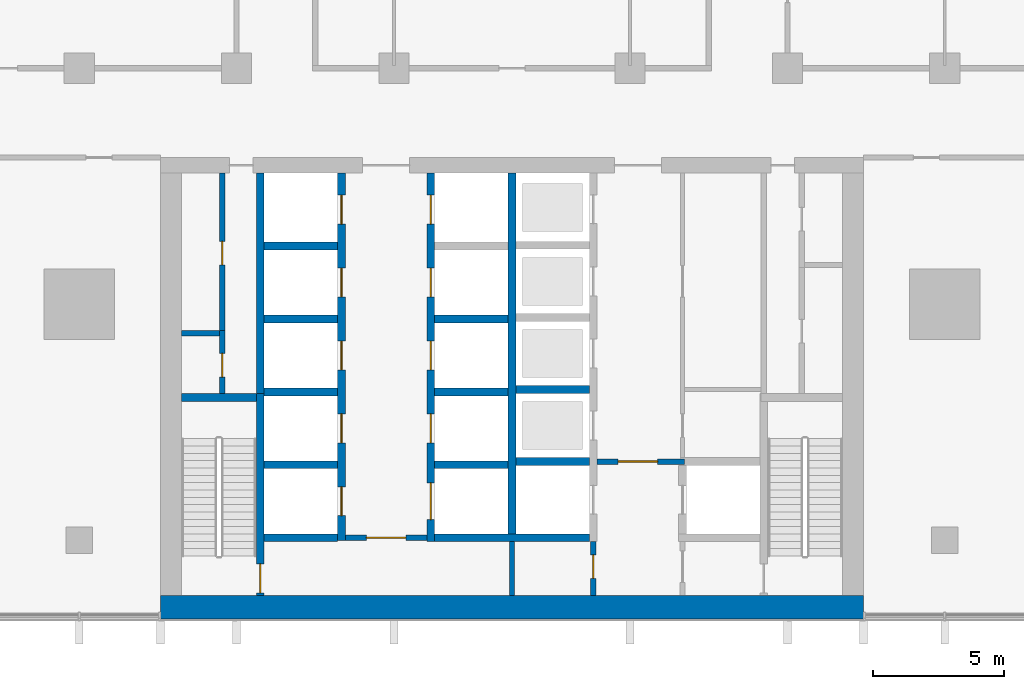
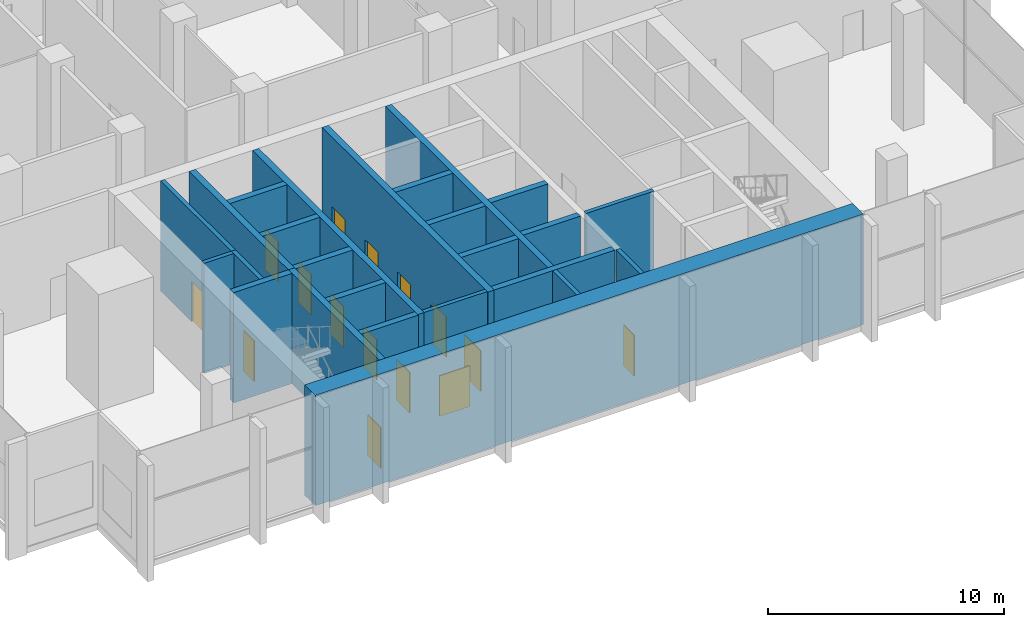
# One storey, part 7 of 16: 25 walls, 16 doors, 16 openings.
"""IFC4 building model written with IfcOpenShell, lengths in metres."""

from ifc_helpers import new_model, si_unit, direction, frame, frame_2d, origin, place, context, subcontext, project, spatial, rectangle, extrude, material, layer, layer_set, type_object, element, fill, save


model = new_model("IFC4")

# Units and contexts
model_context = context("Model", 3, precision=1e-05, world=origin(), true_north=direction((0.0, 1.0)))
body_context = subcontext(model_context, "Body", "Model", "MODEL_VIEW")
ifc_project = project(units=[si_unit("LENGTHUNIT", "METRE"), si_unit("AREAUNIT", "SQUARE_METRE"), si_unit("VOLUMEUNIT", "CUBIC_METRE"), si_unit("PLANEANGLEUNIT", "RADIAN"), si_unit("MASSUNIT", "GRAM", prefix="KILO")], contexts=[model_context])

# Site, building, storey
site_placement = place(None, origin())
site = spatial("IfcSite", under=ifc_project, at=site_placement, CompositionType="ELEMENT")
building_placement = place(site_placement, origin())
building = spatial("IfcBuilding", under=site, at=building_placement, Name="Finial Court Residences", CompositionType="ELEMENT")
storey_placement = place(building_placement, frame((0.0, 0.0, 127.89990234375)))
storey = spatial("IfcBuildingStorey", under=building, at=storey_placement, Name="L32", CompositionType="ELEMENT", Elevation=127.89990234375)

# Wall
ifc_material_1 = material(Name="Concrete C70/85", Category="concrete")
ifc_layer_1 = layer(ifc_material_1, 0.89990234375)
ifc_layer_set_1 = layer_set([ifc_layer_1], Name="Core south facade wall 900 Concrete C70/85")
wall_type_1 = type_object("IfcWallType", Name="Core south facade wall 900 Concrete C70/85", PredefinedType="SHEAR", material=ifc_layer_set_1)
wall_1_placement = place(storey_placement, frame((-13.39990234375, -25.050048828125, 0.0), z_axis=(0.0, 0.0, 1.0), x_axis=(1.0, 0.0, 0.0)))
element("IfcWall", 1, at=wall_1_placement, inside=storey, type_object=wall_type_1, Name="Core outer wall L32-01", PredefinedType="SHEAR", context=body_context, shape_type="SweptSolid", body=[
    extrude(rectangle(XDim=26.7998046875, YDim=0.89990234375, at=frame_2d((13.39990234375, 0.0))), origin(), (0.0, 0.0, 1.0), 5.7001953125),
])

# Wall, opening, door
ifc_material_2 = material(Name="Fire-rated gypsum board partition")
ifc_layer_2 = layer(ifc_material_2, 0.199951171875)
ifc_layer_set_2 = layer_set([ifc_layer_2], Name="Firefighting lobby wall 200 EI 120")
wall_type_2 = type_object("IfcWallType", Name="Firefighting lobby wall 200 EI 120", PredefinedType="PARTITIONING", material=ifc_layer_set_2)
wall_2_placement = place(storey_placement, frame((6.574951171875, -19.5, 0.0), z_axis=(0.0, 0.0, 1.0), x_axis=(-1.0, 0.0, 0.0)))
wall_2 = element("IfcWall", 2, at=wall_2_placement, inside=storey, type_object=wall_type_2, Name="Core partition L32-08", PredefinedType="PARTITIONING", context=body_context, shape_type="SweptSolid", body=[
    extrude(rectangle(XDim=3.324951171875, YDim=0.199951171875, at=frame_2d((1.66259765625, 0.0))), origin(), (0.0, 0.0, 1.0), 5.7001953125),
])
opening_1_placement = place(wall_2_placement, frame((1.02490234375, 0.0, 0.0)))
opening_1 = element("IfcOpeningElement", 3, at=opening_1_placement, cuts=wall_2, Name="Opening L32-C02", PredefinedType="OPENING", context=body_context, shape_type="SweptSolid", body=[
    extrude(rectangle(XDim=1.5, YDim=2.10009765625, at=frame_2d((0.75, 1.050048828125))), frame((0.0, 0.10986328125, 0.0), z_axis=(0.0, -1.0, 0.0), x_axis=(1.0, 0.0, 0.0)), (0.0, 0.0, 1.0), 0.219970703125),
])
ifc_material_3 = material(Name="Steel fire door", Category="steel")
door_type_1 = type_object("IfcDoorType", Name="Firefighting lobby door 1500 x 2100 EI 90", OperationType="DOUBLE_DOOR_SINGLE_SWING", PredefinedType="DOOR", material=ifc_material_3)
door_1_placement = place(opening_1_placement, origin())
door_1 = element("IfcDoor", 4, at=door_1_placement, inside=storey, type_object=door_type_1, Name="Firefighting lobby door L32-C02", OperationType="DOUBLE_DOOR_SINGLE_SWING", OverallHeight=2.10009765625, OverallWidth=1.5, PredefinedType="DOOR", context=body_context, shape_type="SweptSolid", body=[
    extrude(rectangle(XDim=1.5, YDim=2.10009765625, at=frame_2d((0.75, 1.050048828125))), frame((0.0, 0.02490234375, 0.0), z_axis=(0.0, -1.0, 0.0), x_axis=(1.0, 0.0, 0.0)), (0.0, 0.0, 1.0), 0.050048828125),
])
fill(opening_1, door_1)

wall_3_placement = place(storey_placement, frame((3.10009765625, -24.60009765625, 0.0), z_axis=(0.0, 0.0, 1.0), x_axis=(0.0, 1.0, 0.0)))
wall_3 = element("IfcWall", 5, at=wall_3_placement, inside=storey, type_object=wall_type_2, Name="Core partition L32-32", PredefinedType="PARTITIONING", context=body_context, shape_type="SweptSolid", body=[
    extrude(rectangle(XDim=2.050048828125, YDim=0.199951171875, at=frame_2d((1.02490234375, 0.0))), origin(), (0.0, 0.0, 1.0), 5.7001953125),
])
opening_2_placement = place(wall_3_placement, frame((0.64990234375, 0.0, 0.0)))
opening_2 = element("IfcOpeningElement", 6, at=opening_2_placement, cuts=wall_3, Name="Opening L32-C06", PredefinedType="OPENING", context=body_context, shape_type="SweptSolid", body=[
    extrude(rectangle(XDim=0.89990234375, YDim=2.10009765625, at=frame_2d((0.449951171875, 1.050048828125))), frame((0.0, 0.10986328125, 0.0), z_axis=(0.0, -1.0, 0.0), x_axis=(1.0, 0.0, 0.0)), (0.0, 0.0, 1.0), 0.219970703125),
])
door_type_2 = type_object("IfcDoorType", Name="Riser room door 900 x 2100 EI 90", OperationType="NOTDEFINED", PredefinedType="DOOR", material=ifc_material_3)
door_2_placement = place(opening_2_placement, origin())
door_2 = element("IfcDoor", 7, at=door_2_placement, inside=storey, type_object=door_type_2, Name="Riser room door L32-C06", OperationType="SINGLE_SWING_LEFT", OverallHeight=2.10009765625, OverallWidth=0.89990234375, PredefinedType="DOOR", context=body_context, shape_type="SweptSolid", body=[
    extrude(rectangle(XDim=0.89990234375, YDim=2.10009765625, at=frame_2d((0.449951171875, 1.050048828125))), frame((0.0, 0.02490234375, 0.0), z_axis=(0.0, -1.0, 0.0), x_axis=(1.0, 0.0, 0.0)), (0.0, 0.0, 1.0), 0.050048828125),
])
fill(opening_2, door_2)

# Walls
ifc_layer_3 = layer(ifc_material_1, 0.300048828125)
ifc_layer_set_3 = layer_set([ifc_layer_3], Name="Lift shaft and stair wall 300 Concrete C70/85")
wall_type_3 = type_object("IfcWallType", Name="Lift shaft and stair wall 300 Concrete C70/85", PredefinedType="SHEAR", material=ifc_layer_set_3)
wall_4_placement = place(storey_placement, frame((-9.449951171875, -22.39990234375, 0.0), z_axis=(0.0, 0.0, 1.0), x_axis=(1.0, 0.0, 0.0)))
element("IfcWall", 8, at=wall_4_placement, inside=storey, type_object=wall_type_3, Name="Core wall L32-01", PredefinedType="SHEAR", context=body_context, shape_type="SweptSolid", body=[
    extrude(rectangle(XDim=2.800048828125, YDim=0.300048828125, at=frame_2d((1.39990234375, 0.0))), origin(), (0.0, 0.0, 1.0), 5.7001953125),
])
wall_5_placement = place(storey_placement, frame((-2.949951171875, -22.39990234375, 0.0), z_axis=(0.0, 0.0, 1.0), x_axis=(1.0, 0.0, 0.0)))
element("IfcWall", 9, at=wall_5_placement, inside=storey, type_object=wall_type_3, Name="Core wall L32-03", PredefinedType="SHEAR", context=body_context, shape_type="SweptSolid", body=[
    extrude(rectangle(XDim=5.89990234375, YDim=0.300048828125, at=frame_2d((2.949951171875, 0.0))), origin(), (0.0, 0.0, 1.0), 5.7001953125),
])
for number, where, z_axis, x_axis, name in (
    (10, (-9.449951171875, -19.6201171875, 0.0), (0.0, 0.0, 1.0), (1.0, 0.0, 0.0), "Core wall L32-05"),
    (11, (-2.949951171875, -19.6201171875, 0.0), (0.0, 0.0, 1.0), (1.0, 0.0, 0.0), "Core wall L32-06"),
    (12, (0.14990234375, -19.5, 0.0), (0.0, 0.0, 1.0), (1.0, 0.0, 0.0), "Core wall L32-07"),
):
    element("IfcWall", number, at=place(storey_placement, frame(where, z_axis=z_axis, x_axis=x_axis)), inside=storey, type_object=wall_type_3, Name=name, PredefinedType="SHEAR", context=body_context, shape_type="SweptSolid", body=[
        extrude(rectangle(XDim=2.800048828125, YDim=0.300048828125, at=frame_2d((1.39990234375, 0.0))), origin(), (0.0, 0.0, 1.0), 5.7001953125),
    ])
wall_6_placement = place(storey_placement, frame((-12.60009765625, -17.050048828125, 0.0), z_axis=(0.0, 0.0, 1.0), x_axis=(1.0, 0.0, 0.0)))
element("IfcWall", 13, at=wall_6_placement, inside=storey, type_object=wall_type_3, Name="Core wall L32-10", PredefinedType="SHEAR", context=body_context, shape_type="SweptSolid", body=[
    extrude(rectangle(XDim=2.85009765625, YDim=0.300048828125, at=frame_2d((1.425048828125, 0.0))), origin(), (0.0, 0.0, 1.0), 5.7001953125),
])
for number, where, z_axis, x_axis, name in (
    (14, (-9.449951171875, -16.840087890625, 0.0), (0.0, 0.0, 1.0), (1.0, 0.0, 0.0), "Core wall L32-12"),
    (15, (-2.949951171875, -16.840087890625, 0.0), (0.0, 0.0, 1.0), (1.0, 0.0, 0.0), "Core wall L32-13"),
    (16, (0.14990234375, -16.75, 0.0), (0.0, 0.0, 1.0), (1.0, 0.0, 0.0), "Core wall L32-14"),
    (17, (-9.449951171875, -14.06005859375, 0.0), (0.0, 0.0, 1.0), (1.0, 0.0, 0.0), "Core wall L32-17"),
    (18, (-2.949951171875, -14.06005859375, 0.0), (0.0, 0.0, 1.0), (1.0, 0.0, 0.0), "Core wall L32-18"),
    (19, (-9.449951171875, -11.280029296875, 0.0), (0.0, 0.0, 1.0), (1.0, 0.0, 0.0), "Core wall L32-21"),
):
    element("IfcWall", number, at=place(storey_placement, frame(where, z_axis=z_axis, x_axis=x_axis)), inside=storey, type_object=wall_type_3, Name=name, PredefinedType="SHEAR", context=body_context, shape_type="SweptSolid", body=[
        extrude(rectangle(XDim=2.800048828125, YDim=0.300048828125, at=frame_2d((1.39990234375, 0.0))), origin(), (0.0, 0.0, 1.0), 5.7001953125),
    ])

# Wall, opening, door
wall_7_placement = place(storey_placement, frame((-9.60009765625, -24.60009765625, 0.0), z_axis=(0.0, 0.0, 1.0), x_axis=(0.0, 1.0, 0.0)))
wall_7 = element("IfcWall", 20, at=wall_7_placement, inside=storey, type_object=wall_type_3, Name="Core wall L32-26", PredefinedType="SHEAR", context=body_context, shape_type="SweptSolid", body=[
    extrude(rectangle(XDim=7.7001953125, YDim=0.300048828125, at=frame_2d((3.85009765625, 0.0))), origin(), (0.0, 0.0, 1.0), 5.7001953125),
])
opening_3_placement = place(wall_7_placement, frame((0.10009765625, 0.0, 0.0)))
opening_3 = element("IfcOpeningElement", 21, at=opening_3_placement, cuts=wall_7, Name="Opening L32-C15", PredefinedType="OPENING", context=body_context, shape_type="SweptSolid", body=[
    extrude(rectangle(XDim=1.10009765625, YDim=2.10009765625, at=frame_2d((0.550048828125, 1.050048828125))), frame((0.0, 0.159912109375, 0.0), z_axis=(0.0, -1.0, 0.0), x_axis=(1.0, 0.0, 0.0)), (0.0, 0.0, 1.0), 0.320068359375),
])
door_type_3 = type_object("IfcDoorType", Name="Stair door 1100 x 2100 EI 90", OperationType="NOTDEFINED", PredefinedType="DOOR", material=ifc_material_3)
door_3_placement = place(opening_3_placement, origin())
door_3 = element("IfcDoor", 22, at=door_3_placement, inside=storey, type_object=door_type_3, Name="Stair door L32-C15", OperationType="SINGLE_SWING_LEFT", OverallHeight=2.10009765625, OverallWidth=1.10009765625, PredefinedType="DOOR", context=body_context, shape_type="SweptSolid", body=[
    extrude(rectangle(XDim=1.10009765625, YDim=2.10009765625, at=frame_2d((0.550048828125, 1.050048828125))), frame((0.0, 0.02490234375, 0.0), z_axis=(0.0, -1.0, 0.0), x_axis=(1.0, 0.0, 0.0)), (0.0, 0.0, 1.0), 0.050048828125),
])
fill(opening_3, door_3)

# Wall
wall_8_placement = place(storey_placement, frame((-9.60009765625, -17.199951171875, 0.0), z_axis=(0.0, 0.0, 1.0), x_axis=(0.0, 1.0, 0.0)))
element("IfcWall", 23, at=wall_8_placement, inside=storey, type_object=wall_type_3, Name="Core wall L32-27", PredefinedType="SHEAR", context=body_context, shape_type="SweptSolid", body=[
    extrude(rectangle(XDim=8.699951171875, YDim=0.300048828125, at=frame_2d((4.35009765625, 0.0))), origin(), (0.0, 0.0, 1.0), 5.7001953125),
])

# Wall, openings, doors
wall_9_placement = place(storey_placement, frame((-6.5, -22.5, 0.0), z_axis=(0.0, 0.0, 1.0), x_axis=(0.0, 1.0, 0.0)))
wall_9 = element("IfcWall", 24, at=wall_9_placement, inside=storey, type_object=wall_type_3, Name="Core wall L32-28", PredefinedType="SHEAR", context=body_context, shape_type="SweptSolid", body=[
    extrude(rectangle(XDim=14.0, YDim=0.300048828125, at=frame_2d((7.0, 0.0))), origin(), (0.0, 0.0, 1.0), 5.7001953125),
])
opening_4_placement = place(wall_9_placement, frame((0.93994140625, 0.0, 0.0)))
opening_4 = element("IfcOpeningElement", 25, at=opening_4_placement, cuts=wall_9, Name="Opening L32-LD07", PredefinedType="OPENING", context=body_context, shape_type="SweptSolid", body=[
    extrude(rectangle(XDim=1.10009765625, YDim=2.10009765625, at=frame_2d((0.550048828125, 1.050048828125))), frame((0.0, 0.159912109375, 0.0), z_axis=(0.0, -1.0, 0.0), x_axis=(1.0, 0.0, 0.0)), (0.0, 0.0, 1.0), 0.320068359375),
])
opening_5_placement = place(wall_9_placement, frame((3.719970703125, 0.0, 0.0)))
opening_5 = element("IfcOpeningElement", 26, at=opening_5_placement, cuts=wall_9, Name="Opening L32-LD08", PredefinedType="OPENING", context=body_context, shape_type="SweptSolid", body=[
    extrude(rectangle(XDim=1.10009765625, YDim=2.10009765625, at=frame_2d((0.550048828125, 1.050048828125))), frame((0.0, 0.159912109375, 0.0), z_axis=(0.0, -1.0, 0.0), x_axis=(1.0, 0.0, 0.0)), (0.0, 0.0, 1.0), 0.320068359375),
])
opening_6_placement = place(wall_9_placement, frame((6.5, 0.0, 0.0)))
opening_6 = element("IfcOpeningElement", 27, at=opening_6_placement, cuts=wall_9, Name="Opening L32-LD09", PredefinedType="OPENING", context=body_context, shape_type="SweptSolid", body=[
    extrude(rectangle(XDim=1.10009765625, YDim=2.10009765625, at=frame_2d((0.550048828125, 1.050048828125))), frame((0.0, 0.159912109375, 0.0), z_axis=(0.0, -1.0, 0.0), x_axis=(1.0, 0.0, 0.0)), (0.0, 0.0, 1.0), 0.320068359375),
])
opening_7_placement = place(wall_9_placement, frame((9.280029296875, 0.0, 0.0)))
opening_7 = element("IfcOpeningElement", 28, at=opening_7_placement, cuts=wall_9, Name="Opening L32-LD10", PredefinedType="OPENING", context=body_context, shape_type="SweptSolid", body=[
    extrude(rectangle(XDim=1.10009765625, YDim=2.10009765625, at=frame_2d((0.550048828125, 1.050048828125))), frame((0.0, 0.159912109375, 0.0), z_axis=(0.0, -1.0, 0.0), x_axis=(1.0, 0.0, 0.0)), (0.0, 0.0, 1.0), 0.320068359375),
])
opening_8_placement = place(wall_9_placement, frame((12.06005859375, 0.0, 0.0)))
opening_8 = element("IfcOpeningElement", 29, at=opening_8_placement, cuts=wall_9, Name="Opening L32-LD11", PredefinedType="OPENING", context=body_context, shape_type="SweptSolid", body=[
    extrude(rectangle(XDim=1.10009765625, YDim=2.10009765625, at=frame_2d((0.550048828125, 1.050048828125))), frame((0.0, 0.159912109375, 0.0), z_axis=(0.0, -1.0, 0.0), x_axis=(1.0, 0.0, 0.0)), (0.0, 0.0, 1.0), 0.320068359375),
])
ifc_material_4 = material(Name="Stainless steel lift door", Category="steel")
door_type_4 = type_object("IfcDoorType", Name="Lift landing door 1100 x 2100 EI 90", OperationType="DOUBLE_DOOR_SLIDING", PredefinedType="DOOR", material=ifc_material_4)
door_4_placement = place(opening_4_placement, origin())
door_4 = element("IfcDoor", 30, at=door_4_placement, inside=storey, type_object=door_type_4, Name="Lift landing door LR1 L32", OperationType="DOUBLE_DOOR_SLIDING", OverallHeight=2.10009765625, OverallWidth=1.10009765625, PredefinedType="DOOR", context=body_context, shape_type="SweptSolid", body=[
    extrude(rectangle(XDim=1.10009765625, YDim=2.10009765625, at=frame_2d((0.550048828125, 1.050048828125))), frame((0.0, 0.02490234375, 0.0), z_axis=(0.0, -1.0, 0.0), x_axis=(1.0, 0.0, 0.0)), (0.0, 0.0, 1.0), 0.050048828125),
])
fill(opening_4, door_4)
door_5_placement = place(opening_5_placement, origin())
door_5 = element("IfcDoor", 31, at=door_5_placement, inside=storey, type_object=door_type_4, Name="Lift landing door LR2 L32", OperationType="DOUBLE_DOOR_SLIDING", OverallHeight=2.10009765625, OverallWidth=1.10009765625, PredefinedType="DOOR", context=body_context, shape_type="SweptSolid", body=[
    extrude(rectangle(XDim=1.10009765625, YDim=2.10009765625, at=frame_2d((0.550048828125, 1.050048828125))), frame((0.0, 0.02490234375, 0.0), z_axis=(0.0, -1.0, 0.0), x_axis=(1.0, 0.0, 0.0)), (0.0, 0.0, 1.0), 0.050048828125),
])
fill(opening_5, door_5)
door_6_placement = place(opening_6_placement, origin())
door_6 = element("IfcDoor", 32, at=door_6_placement, inside=storey, type_object=door_type_4, Name="Lift landing door LR3 L32", OperationType="DOUBLE_DOOR_SLIDING", OverallHeight=2.10009765625, OverallWidth=1.10009765625, PredefinedType="DOOR", context=body_context, shape_type="SweptSolid", body=[
    extrude(rectangle(XDim=1.10009765625, YDim=2.10009765625, at=frame_2d((0.550048828125, 1.050048828125))), frame((0.0, 0.02490234375, 0.0), z_axis=(0.0, -1.0, 0.0), x_axis=(1.0, 0.0, 0.0)), (0.0, 0.0, 1.0), 0.050048828125),
])
fill(opening_6, door_6)
door_7_placement = place(opening_7_placement, origin())
door_7 = element("IfcDoor", 33, at=door_7_placement, inside=storey, type_object=door_type_4, Name="Lift landing door LR4 L32", OperationType="DOUBLE_DOOR_SLIDING", OverallHeight=2.10009765625, OverallWidth=1.10009765625, PredefinedType="DOOR", context=body_context, shape_type="SweptSolid", body=[
    extrude(rectangle(XDim=1.10009765625, YDim=2.10009765625, at=frame_2d((0.550048828125, 1.050048828125))), frame((0.0, 0.02490234375, 0.0), z_axis=(0.0, -1.0, 0.0), x_axis=(1.0, 0.0, 0.0)), (0.0, 0.0, 1.0), 0.050048828125),
])
fill(opening_7, door_7)
door_8_placement = place(opening_8_placement, origin())
door_8 = element("IfcDoor", 34, at=door_8_placement, inside=storey, type_object=door_type_4, Name="Lift landing door LR5 L32", OperationType="DOUBLE_DOOR_SLIDING", OverallHeight=2.10009765625, OverallWidth=1.10009765625, PredefinedType="DOOR", context=body_context, shape_type="SweptSolid", body=[
    extrude(rectangle(XDim=1.10009765625, YDim=2.10009765625, at=frame_2d((0.550048828125, 1.050048828125))), frame((0.0, 0.02490234375, 0.0), z_axis=(0.0, -1.0, 0.0), x_axis=(1.0, 0.0, 0.0)), (0.0, 0.0, 1.0), 0.050048828125),
])
fill(opening_8, door_8)

wall_10_placement = place(storey_placement, frame((-3.10009765625, -22.550048828125, 0.0), z_axis=(0.0, 0.0, 1.0), x_axis=(0.0, 1.0, 0.0)))
wall_10 = element("IfcWall", 35, at=wall_10_placement, inside=storey, type_object=wall_type_3, Name="Core wall L32-29", PredefinedType="SHEAR", context=body_context, shape_type="SweptSolid", body=[
    extrude(rectangle(XDim=14.050048828125, YDim=0.300048828125, at=frame_2d((7.02490234375, 0.0))), origin(), (0.0, 0.0, 1.0), 5.7001953125),
])
opening_9_placement = place(wall_10_placement, frame((12.110107421875, 0.0, 0.0)))
opening_9 = element("IfcOpeningElement", 36, at=opening_9_placement, cuts=wall_10, Name="Opening L32-LD12", PredefinedType="OPENING", context=body_context, shape_type="SweptSolid", body=[
    extrude(rectangle(XDim=1.10009765625, YDim=2.10009765625, at=frame_2d((0.550048828125, 1.050048828125))), frame((0.0, 0.159912109375, 0.0), z_axis=(0.0, -1.0, 0.0), x_axis=(1.0, 0.0, 0.0)), (0.0, 0.0, 1.0), 0.320068359375),
])
opening_10_placement = place(wall_10_placement, frame((3.77001953125, 0.0, 0.0)))
opening_10 = element("IfcOpeningElement", 37, at=opening_10_placement, cuts=wall_10, Name="Opening L32-LD13", PredefinedType="OPENING", context=body_context, shape_type="SweptSolid", body=[
    extrude(rectangle(XDim=1.10009765625, YDim=2.10009765625, at=frame_2d((0.550048828125, 1.050048828125))), frame((0.0, 0.159912109375, 0.0), z_axis=(0.0, -1.0, 0.0), x_axis=(1.0, 0.0, 0.0)), (0.0, 0.0, 1.0), 0.320068359375),
])
opening_11_placement = place(wall_10_placement, frame((6.550048828125, 0.0, 0.0)))
opening_11 = element("IfcOpeningElement", 38, at=opening_11_placement, cuts=wall_10, Name="Opening L32-LD14", PredefinedType="OPENING", context=body_context, shape_type="SweptSolid", body=[
    extrude(rectangle(XDim=1.10009765625, YDim=2.10009765625, at=frame_2d((0.550048828125, 1.050048828125))), frame((0.0, 0.159912109375, 0.0), z_axis=(0.0, -1.0, 0.0), x_axis=(1.0, 0.0, 0.0)), (0.0, 0.0, 1.0), 0.320068359375),
])
opening_12_placement = place(wall_10_placement, frame((9.330078125, 0.0, 0.0)))
opening_12 = element("IfcOpeningElement", 39, at=opening_12_placement, cuts=wall_10, Name="Opening L32-LD15", PredefinedType="OPENING", context=body_context, shape_type="SweptSolid", body=[
    extrude(rectangle(XDim=1.10009765625, YDim=2.10009765625, at=frame_2d((0.550048828125, 1.050048828125))), frame((0.0, 0.159912109375, 0.0), z_axis=(0.0, -1.0, 0.0), x_axis=(1.0, 0.0, 0.0)), (0.0, 0.0, 1.0), 0.320068359375),
])
opening_13_placement = place(wall_10_placement, frame((0.840087890625, 0.0, 0.0)))
opening_13 = element("IfcOpeningElement", 40, at=opening_13_placement, cuts=wall_10, Name="Opening L32-LD16", PredefinedType="OPENING", context=body_context, shape_type="SweptSolid", body=[
    extrude(rectangle(XDim=1.39990234375, YDim=2.10009765625, at=frame_2d((0.699951171875, 1.050048828125))), frame((0.0, 0.159912109375, 0.0), z_axis=(0.0, -1.0, 0.0), x_axis=(1.0, 0.0, 0.0)), (0.0, 0.0, 1.0), 0.320068359375),
])
door_9_placement = place(opening_9_placement, origin())
door_9 = element("IfcDoor", 41, at=door_9_placement, inside=storey, type_object=door_type_4, Name="Lift landing door LR6 L32", OperationType="DOUBLE_DOOR_SLIDING", OverallHeight=2.10009765625, OverallWidth=1.10009765625, PredefinedType="DOOR", context=body_context, shape_type="SweptSolid", body=[
    extrude(rectangle(XDim=1.10009765625, YDim=2.10009765625, at=frame_2d((0.550048828125, 1.050048828125))), frame((0.0, 0.02490234375, 0.0), z_axis=(0.0, -1.0, 0.0), x_axis=(1.0, 0.0, 0.0)), (0.0, 0.0, 1.0), 0.050048828125),
])
fill(opening_9, door_9)
door_10_placement = place(opening_10_placement, origin())
door_10 = element("IfcDoor", 42, at=door_10_placement, inside=storey, type_object=door_type_4, Name="Lift landing door SH1 L32", OperationType="DOUBLE_DOOR_SLIDING", OverallHeight=2.10009765625, OverallWidth=1.10009765625, PredefinedType="DOOR", context=body_context, shape_type="SweptSolid", body=[
    extrude(rectangle(XDim=1.10009765625, YDim=2.10009765625, at=frame_2d((0.550048828125, 1.050048828125))), frame((0.0, 0.02490234375, 0.0), z_axis=(0.0, -1.0, 0.0), x_axis=(1.0, 0.0, 0.0)), (0.0, 0.0, 1.0), 0.050048828125),
])
fill(opening_10, door_10)
door_11_placement = place(opening_11_placement, origin())
door_11 = element("IfcDoor", 43, at=door_11_placement, inside=storey, type_object=door_type_4, Name="Lift landing door SH2 L32", OperationType="DOUBLE_DOOR_SLIDING", OverallHeight=2.10009765625, OverallWidth=1.10009765625, PredefinedType="DOOR", context=body_context, shape_type="SweptSolid", body=[
    extrude(rectangle(XDim=1.10009765625, YDim=2.10009765625, at=frame_2d((0.550048828125, 1.050048828125))), frame((0.0, 0.02490234375, 0.0), z_axis=(0.0, -1.0, 0.0), x_axis=(1.0, 0.0, 0.0)), (0.0, 0.0, 1.0), 0.050048828125),
])
fill(opening_11, door_11)
door_12_placement = place(opening_12_placement, origin())
door_12 = element("IfcDoor", 44, at=door_12_placement, inside=storey, type_object=door_type_4, Name="Lift landing door SH3 L32", OperationType="DOUBLE_DOOR_SLIDING", OverallHeight=2.10009765625, OverallWidth=1.10009765625, PredefinedType="DOOR", context=body_context, shape_type="SweptSolid", body=[
    extrude(rectangle(XDim=1.10009765625, YDim=2.10009765625, at=frame_2d((0.550048828125, 1.050048828125))), frame((0.0, 0.02490234375, 0.0), z_axis=(0.0, -1.0, 0.0), x_axis=(1.0, 0.0, 0.0)), (0.0, 0.0, 1.0), 0.050048828125),
])
fill(opening_12, door_12)
door_type_5 = type_object("IfcDoorType", Name="Lift landing door 1400 x 2100 EI 90", OperationType="DOUBLE_DOOR_SLIDING", PredefinedType="DOOR", material=ifc_material_4)
door_13_placement = place(opening_13_placement, origin())
door_13 = element("IfcDoor", 45, at=door_13_placement, inside=storey, type_object=door_type_5, Name="Lift landing door SV1 L32", OperationType="DOUBLE_DOOR_SLIDING", OverallHeight=2.10009765625, OverallWidth=1.39990234375, PredefinedType="DOOR", context=body_context, shape_type="SweptSolid", body=[
    extrude(rectangle(XDim=1.39990234375, YDim=2.10009765625, at=frame_2d((0.699951171875, 1.050048828125))), frame((0.0, 0.02490234375, 0.0), z_axis=(0.0, -1.0, 0.0), x_axis=(1.0, 0.0, 0.0)), (0.0, 0.0, 1.0), 0.050048828125),
])
fill(opening_13, door_13)

# Walls
wall_11_placement = place(storey_placement, frame((0.0, -22.25, 0.0), z_axis=(0.0, 0.0, 1.0), x_axis=(0.0, 1.0, 0.0)))
element("IfcWall", 46, at=wall_11_placement, inside=storey, type_object=wall_type_3, Name="Core wall L32-31", PredefinedType="SHEAR", context=body_context, shape_type="SweptSolid", body=[
    extrude(rectangle(XDim=13.75, YDim=0.300048828125, at=frame_2d((6.875, 0.0))), origin(), (0.0, 0.0, 1.0), 5.7001953125),
])
ifc_layer_4 = layer(ifc_material_2, 0.199951171875)
ifc_layer_set_4 = layer_set([ifc_layer_4], Name="Riser room wall 200 EI 120")
wall_type_4 = type_object("IfcWallType", Name="Riser room wall 200 EI 120", PredefinedType="PARTITIONING", material=ifc_layer_set_4)
wall_12_placement = place(storey_placement, frame((-12.60009765625, -14.60009765625, 0.0), z_axis=(0.0, 0.0, 1.0), x_axis=(1.0, 0.0, 0.0)))
element("IfcWall", 47, at=wall_12_placement, inside=storey, type_object=wall_type_4, Name="Core partition L32-16", PredefinedType="PARTITIONING", context=body_context, shape_type="SweptSolid", body=[
    extrude(rectangle(XDim=1.4501953125, YDim=0.199951171875, at=frame_2d((0.72509765625, 0.0))), origin(), (0.0, 0.0, 1.0), 5.7001953125),
])

# Wall, opening, door
wall_13_placement = place(storey_placement, frame((-11.050048828125, -14.699951171875, 0.0), z_axis=(0.0, 0.0, 1.0), x_axis=(0.0, 1.0, 0.0)))
wall_13 = element("IfcWall", 48, at=wall_13_placement, inside=storey, type_object=wall_type_4, Name="Core partition L32-25", PredefinedType="PARTITIONING", context=body_context, shape_type="SweptSolid", body=[
    extrude(rectangle(XDim=6.199951171875, YDim=0.199951171875, at=frame_2d((3.10009765625, 0.0))), origin(), (0.0, 0.0, 1.0), 5.7001953125),
])
opening_14_placement = place(wall_13_placement, frame((2.699951171875, 0.0, 0.0)))
opening_14 = element("IfcOpeningElement", 49, at=opening_14_placement, cuts=wall_13, Name="Opening L32-C07", PredefinedType="OPENING", context=body_context, shape_type="SweptSolid", body=[
    extrude(rectangle(XDim=0.89990234375, YDim=2.10009765625, at=frame_2d((0.449951171875, 1.050048828125))), frame((0.0, 0.10986328125, 0.0), z_axis=(0.0, -1.0, 0.0), x_axis=(1.0, 0.0, 0.0)), (0.0, 0.0, 1.0), 0.219970703125),
])
door_14_placement = place(opening_14_placement, origin())
door_14 = element("IfcDoor", 50, at=door_14_placement, inside=storey, type_object=door_type_2, Name="Riser room door L32-C07", OperationType="SINGLE_SWING_LEFT", OverallHeight=2.10009765625, OverallWidth=0.89990234375, PredefinedType="DOOR", context=body_context, shape_type="SweptSolid", body=[
    extrude(rectangle(XDim=0.89990234375, YDim=2.10009765625, at=frame_2d((0.449951171875, 1.050048828125))), frame((0.0, 0.02490234375, 0.0), z_axis=(0.0, -1.0, 0.0), x_axis=(1.0, 0.0, 0.0)), (0.0, 0.0, 1.0), 0.050048828125),
])
fill(opening_14, door_14)

# Wall
wall_14_placement = place(storey_placement, frame((0.0, -24.60009765625, 0.0), z_axis=(0.0, 0.0, 1.0), x_axis=(0.0, 1.0, 0.0)))
element("IfcWall", 51, at=wall_14_placement, inside=storey, type_object=wall_type_4, Name="Core partition L32-30", PredefinedType="PARTITIONING", context=body_context, shape_type="SweptSolid", body=[
    extrude(rectangle(XDim=2.050048828125, YDim=0.199951171875, at=frame_2d((1.02490234375, 0.0))), origin(), (0.0, 0.0, 1.0), 5.7001953125),
])

# Wall, opening, door
ifc_layer_5 = layer(ifc_material_2, 0.199951171875)
ifc_layer_set_5 = layer_set([ifc_layer_5], Name="Stair passage wall 200 EI 180")
wall_type_5 = type_object("IfcWallType", Name="Stair passage wall 200 EI 180", PredefinedType="PARTITIONING", material=ifc_layer_set_5)
wall_15_placement = place(storey_placement, frame((-3.25, -22.39990234375, 0.0), z_axis=(0.0, 0.0, 1.0), x_axis=(-1.0, 0.0, 0.0)))
wall_15 = element("IfcWall", 52, at=wall_15_placement, inside=storey, type_object=wall_type_5, Name="Core partition L32-02", PredefinedType="PARTITIONING", context=body_context, shape_type="SweptSolid", body=[
    extrude(rectangle(XDim=3.10009765625, YDim=0.199951171875, at=frame_2d((1.550048828125, 0.0))), origin(), (0.0, 0.0, 1.0), 5.7001953125),
])
opening_15_placement = place(wall_15_placement, frame((0.800048828125, 0.0, 0.0)))
opening_15 = element("IfcOpeningElement", 53, at=opening_15_placement, cuts=wall_15, Name="Opening L32-C03", PredefinedType="OPENING", context=body_context, shape_type="SweptSolid", body=[
    extrude(rectangle(XDim=1.5, YDim=2.10009765625, at=frame_2d((0.75, 1.050048828125))), frame((0.0, 0.10986328125, 0.0), z_axis=(0.0, -1.0, 0.0), x_axis=(1.0, 0.0, 0.0)), (0.0, 0.0, 1.0), 0.219970703125),
])
door_type_6 = type_object("IfcDoorType", Name="Lift lobby door 1500 x 2100 EI 60", OperationType="DOUBLE_DOOR_SINGLE_SWING", PredefinedType="DOOR", material=ifc_material_3)
door_15_placement = place(opening_15_placement, origin())
door_15 = element("IfcDoor", 54, at=door_15_placement, inside=storey, type_object=door_type_6, Name="Lift lobby door L32-C03", OperationType="DOUBLE_DOOR_SINGLE_SWING", OverallHeight=2.10009765625, OverallWidth=1.5, PredefinedType="DOOR", context=body_context, shape_type="SweptSolid", body=[
    extrude(rectangle(XDim=1.5, YDim=2.10009765625, at=frame_2d((0.75, 1.050048828125))), frame((0.0, 0.02490234375, 0.0), z_axis=(0.0, -1.0, 0.0), x_axis=(1.0, 0.0, 0.0)), (0.0, 0.0, 1.0), 0.050048828125),
])
fill(opening_15, door_15)

wall_16_placement = place(storey_placement, frame((-11.050048828125, -16.89990234375, 0.0), z_axis=(0.0, 0.0, 1.0), x_axis=(0.0, 1.0, 0.0)))
wall_16 = element("IfcWall", 55, at=wall_16_placement, inside=storey, type_object=wall_type_5, Name="Core partition L32-24", PredefinedType="PARTITIONING", context=body_context, shape_type="SweptSolid", body=[
    extrude(rectangle(XDim=2.39990234375, YDim=0.199951171875, at=frame_2d((1.199951171875, 0.0))), origin(), (0.0, 0.0, 1.0), 5.7001953125),
])
opening_16_placement = place(wall_16_placement, frame((0.625, 0.0, 0.0)))
opening_16 = element("IfcOpeningElement", 56, at=opening_16_placement, cuts=wall_16, Name="Opening L32-C11", PredefinedType="OPENING", context=body_context, shape_type="SweptSolid", body=[
    extrude(rectangle(XDim=0.89990234375, YDim=2.10009765625, at=frame_2d((0.449951171875, 1.050048828125))), frame((0.0, 0.10986328125, 0.0), z_axis=(0.0, -1.0, 0.0), x_axis=(1.0, 0.0, 0.0)), (0.0, 0.0, 1.0), 0.219970703125),
])
door_type_7 = type_object("IfcDoorType", Name="Core room door 900 x 2100 EI 60", OperationType="NOTDEFINED", PredefinedType="DOOR", material=ifc_material_3)
door_16_placement = place(opening_16_placement, origin())
door_16 = element("IfcDoor", 57, at=door_16_placement, inside=storey, type_object=door_type_7, Name="Core room door L32-C11", OperationType="SINGLE_SWING_RIGHT", OverallHeight=2.10009765625, OverallWidth=0.89990234375, PredefinedType="DOOR", context=body_context, shape_type="SweptSolid", body=[
    extrude(rectangle(XDim=0.89990234375, YDim=2.10009765625, at=frame_2d((0.449951171875, 1.050048828125))), frame((0.0, 0.02490234375, 0.0), z_axis=(0.0, -1.0, 0.0), x_axis=(1.0, 0.0, 0.0)), (0.0, 0.0, 1.0), 0.050048828125),
])
fill(opening_16, door_16)

save(model, "model.ifc")
